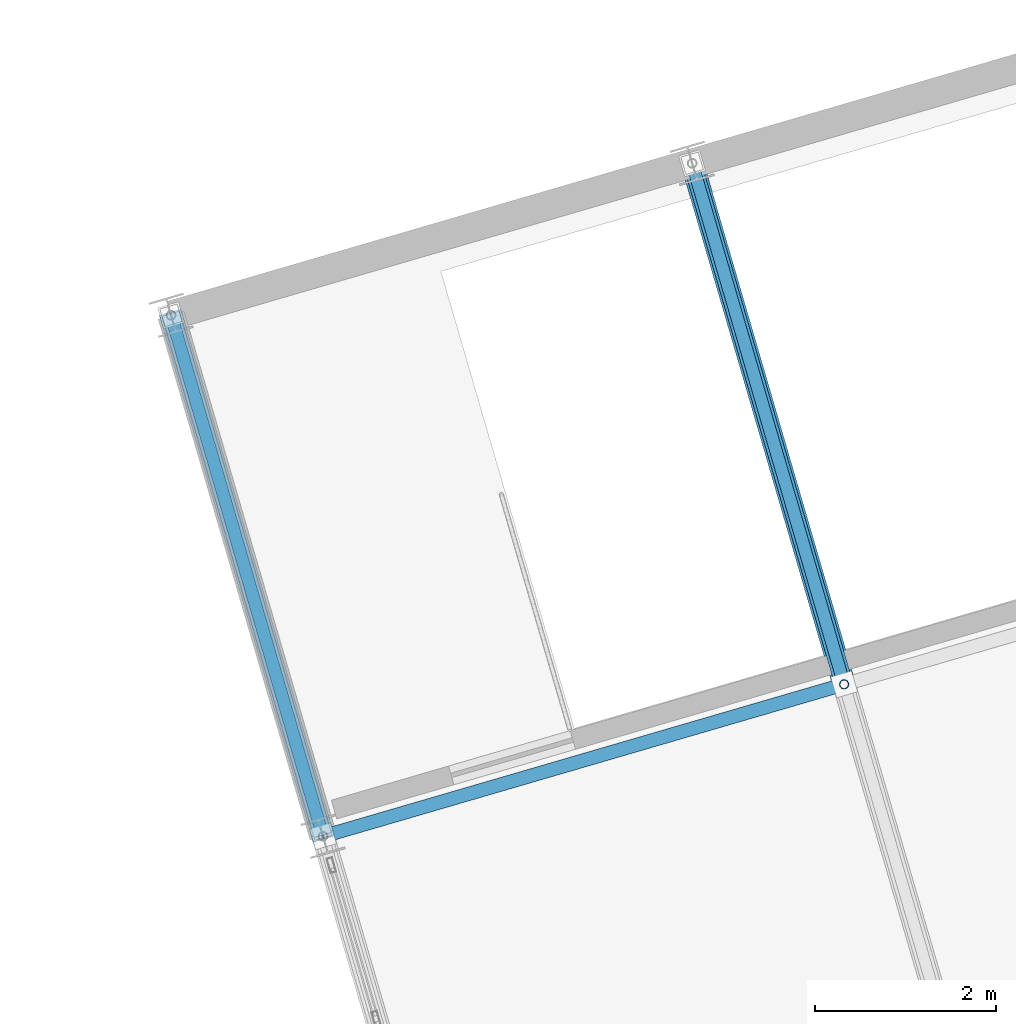
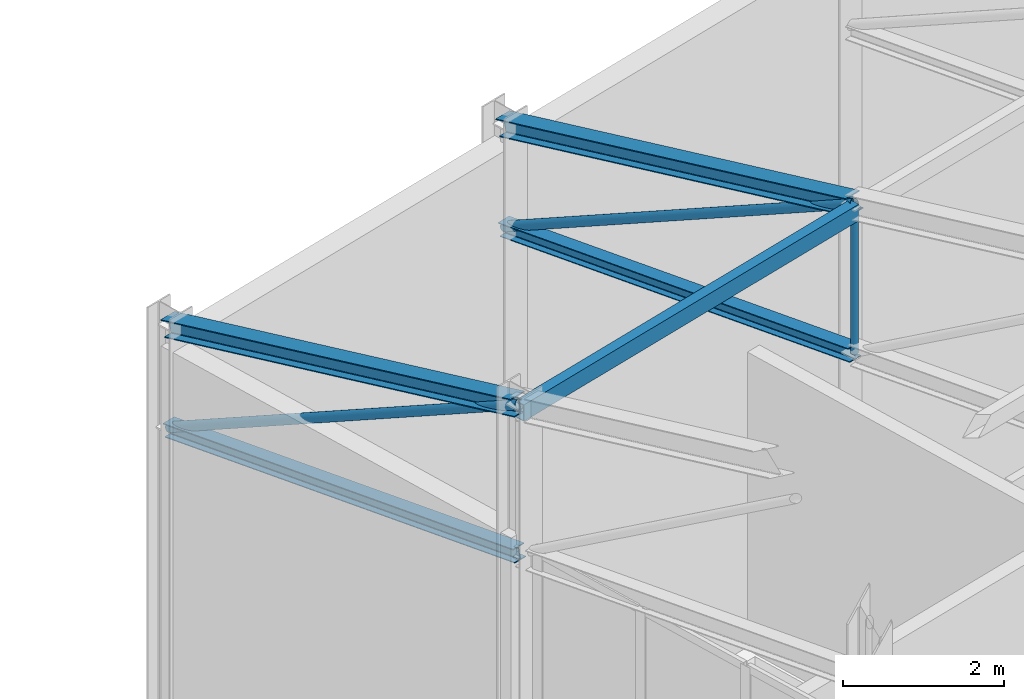
# One storey, part 145 of 248: 8 members.
"""IFC4 building model written with IfcOpenShell, lengths in metres."""

from ifc_helpers import new_model, si_unit, direction, frame, origin, origin_2d, place, context, subcontext, project, spatial, hollow_rectangle, hollow_circle, i_section, extrude, material, material_profile, profile_set, type_object, element, save


model = new_model("IFC4")

# Units and contexts
model_context = context("Model", 3, precision=1e-05, world=origin(), true_north=direction((0.0, 1.0)))
body_context = subcontext(model_context, "Body", "Model", "MODEL_VIEW")
ifc_project = project(units=[si_unit("LENGTHUNIT", "METRE"), si_unit("AREAUNIT", "SQUARE_METRE"), si_unit("VOLUMEUNIT", "CUBIC_METRE"), si_unit("PLANEANGLEUNIT", "RADIAN"), si_unit("MASSUNIT", "GRAM", prefix="KILO")], contexts=[model_context])

# Site, building, storey
site_placement = place(None, origin())
site = spatial("IfcSite", under=ifc_project, at=site_placement, CompositionType="ELEMENT")
building_placement = place(site_placement, origin())
building = spatial("IfcBuilding", under=site, at=building_placement, Name="Canggui Botanical Conservatory", CompositionType="ELEMENT")
storey_placement = place(building_placement, frame((0.0, 0.0, 5.39990234375)))
storey = spatial("IfcBuildingStorey", under=building, at=storey_placement, Name="L02", CompositionType="ELEMENT", Elevation=5.39990234375)

# Members
ifc_material = material(Name="Steel Q355B", Category="steel")
ifc_material_profile_1 = material_profile(ifc_material, hollow_rectangle(XDim=0.14990234375, YDim=0.25, WallThickness=0.008056640625, at=origin_2d()), Name="RHS 150x250x8")
ifc_profile_set_1 = profile_set([ifc_material_profile_1], Name="Steel Q355B")
member_type_1 = type_object("IfcMemberType", Name="MEM-PUR01", PredefinedType="PURLIN", material=ifc_profile_set_1)
member_1_placement = place(storey_placement, frame((60.9599609375, 107.280029296875, 11.550048828125), z_axis=(0.960003190047, 0.279989062464, 0.0), x_axis=(-0.279989062464, 0.960003190047, 0.0)))
element("IfcMember", 1, at=member_1_placement, inside=storey, type_object=member_type_1, Name="Auditorium Roof Purlin 1-3", PredefinedType="PURLIN", context=body_context, shape_type="SweptSolid", body=[
    extrude(hollow_rectangle(XDim=0.14990234375, YDim=0.25, WallThickness=0.008056640625, at=origin_2d()), origin(), (0.0, 0.0, 1.0), 6.0),
])
ifc_material_profile_2 = material_profile(ifc_material, i_section(OverallWidth=0.25, OverallDepth=0.25, WebThickness=0.009033203125, FlangeThickness=0.013916015625, FilletRadius=0.01611328125, at=origin_2d()), Name="HW 250x250x9x14")
ifc_profile_set_2 = profile_set([ifc_material_profile_2], Name="Steel Q355B")
member_type_2 = type_object("IfcMemberType", Name="MEM-TC01", PredefinedType="CHORD", material=ifc_profile_set_2)
for number, where, z_axis, x_axis, name in (
    (2, (60.9599609375, 107.280029296875, 11.650146484375), (-0.269385502469, 0.923646586216, -0.272595735168), (-0.960003190047, -0.279989062464, 0.0), "Auditorium Truss AT-01 Top Chord 4"),
    (3, (66.719970703125, 108.9599609375, 11.650146484375), (-0.269385502469, 0.923646586216, -0.272595735168), (-0.960003190047, -0.279989062464, 0.0), "Auditorium Truss AT-02 Top Chord 4"),
):
    element("IfcMember", number, at=place(storey_placement, frame(where, z_axis=z_axis, x_axis=x_axis)), inside=storey, type_object=member_type_2, Name=name, PredefinedType="CHORD", context=body_context, shape_type="SweptSolid", body=[
        extrude(i_section(OverallWidth=0.25, OverallDepth=0.25, WebThickness=0.009033203125, FlangeThickness=0.013916015625, FilletRadius=0.01611328125, at=origin_2d()), origin(), (0.0, 0.0, 1.0), 6.236083984375),
    ])
ifc_material_profile_3 = material_profile(ifc_material, i_section(OverallWidth=0.199951171875, OverallDepth=0.199951171875, WebThickness=0.008056640625, FlangeThickness=0.011962890625, FilletRadius=0.012939453125, at=origin_2d()), Name="HW 200x200x8x12")
ifc_profile_set_3 = profile_set([ifc_material_profile_3], Name="Steel Q355B")
member_type_3 = type_object("IfcMemberType", Name="MEM-TC02", PredefinedType="CHORD", material=ifc_profile_set_3)
for number, where, z_axis, x_axis, name in (
    (4, (60.9599609375, 107.280029296875, 9.400146484375), (-0.276179497805, 0.946941271868, -0.16439924764), (-0.960003190047, -0.279989062464, 0.0), "Auditorium Truss AT-01 Bottom Chord 4"),
    (5, (66.719970703125, 108.9599609375, 9.400146484375), (-0.276179497805, 0.946941271868, -0.16439924764), (-0.960003190047, -0.279989062464, 0.0), "Auditorium Truss AT-02 Bottom Chord 4"),
):
    element("IfcMember", number, at=place(storey_placement, frame(where, z_axis=z_axis, x_axis=x_axis)), inside=storey, type_object=member_type_3, Name=name, PredefinedType="CHORD", context=body_context, shape_type="SweptSolid", body=[
        extrude(i_section(OverallWidth=0.199951171875, OverallDepth=0.199951171875, WebThickness=0.008056640625, FlangeThickness=0.011962890625, FilletRadius=0.012939453125, at=origin_2d()), origin(), (0.0, 0.0, 1.0), 6.082763671875),
    ])
ifc_material_profile_4 = material_profile(ifc_material, hollow_circle(Radius=0.070068359375, WallThickness=0.006103515625, at=origin_2d()), Name="CHS 140x6")
ifc_profile_set_4 = profile_set([ifc_material_profile_4], Name="Steel Q355B")
member_type_4 = type_object("IfcMemberType", Name="MEM-TW01", PredefinedType="BRACE", material=ifc_profile_set_4)
for number, where, z_axis, x_axis, name in (
    (6, (59.280029296875, 113.0400390625, 8.400146484375), (0.246192042448, -0.844122781207, 0.476283747867), (0.960003190047, 0.279989062464, 0.0), "Auditorium Truss AT-01 Web Diagonal 4"),
    (7, (65.0400390625, 114.719970703125, 8.400146484375), (0.246192042448, -0.844122781207, 0.476283747867), (0.960003190047, 0.279989062464, 0.0), "Auditorium Truss AT-02 Web Diagonal 4"),
):
    element("IfcMember", number, at=place(storey_placement, frame(where, z_axis=z_axis, x_axis=x_axis)), inside=storey, type_object=member_type_4, Name=name, PredefinedType="BRACE", context=body_context, shape_type="SweptSolid", body=[
        extrude(hollow_circle(Radius=0.070068359375, WallThickness=0.006103515625, at=origin_2d()), origin(), (0.0, 0.0, 1.0), 6.82373046875),
    ])
ifc_material_profile_5 = material_profile(ifc_material, hollow_circle(Radius=0.051025390625, WallThickness=0.0048828125, at=origin_2d()), Name="CHS 102x5")
ifc_profile_set_5 = profile_set([ifc_material_profile_5], Name="Steel Q355B")
member_type_5 = type_object("IfcMemberType", Name="MEM-TW04", PredefinedType="BRACE", material=ifc_profile_set_5)
member_2_placement = place(storey_placement, frame((66.719970703125, 108.9599609375, 9.400146484375), z_axis=(0.0, 0.0, 1.0), x_axis=(1.0, 0.0, 0.0)))
element("IfcMember", 8, at=member_2_placement, inside=storey, type_object=member_type_5, Name="Auditorium Truss AT-02 Vertical Post 4", PredefinedType="BRACE", context=body_context, shape_type="SweptSolid", body=[
    extrude(hollow_circle(Radius=0.051025390625, WallThickness=0.0048828125, at=origin_2d()), origin(), (0.0, 0.0, 1.0), 2.25),
])

save(model, "model.ifc")
